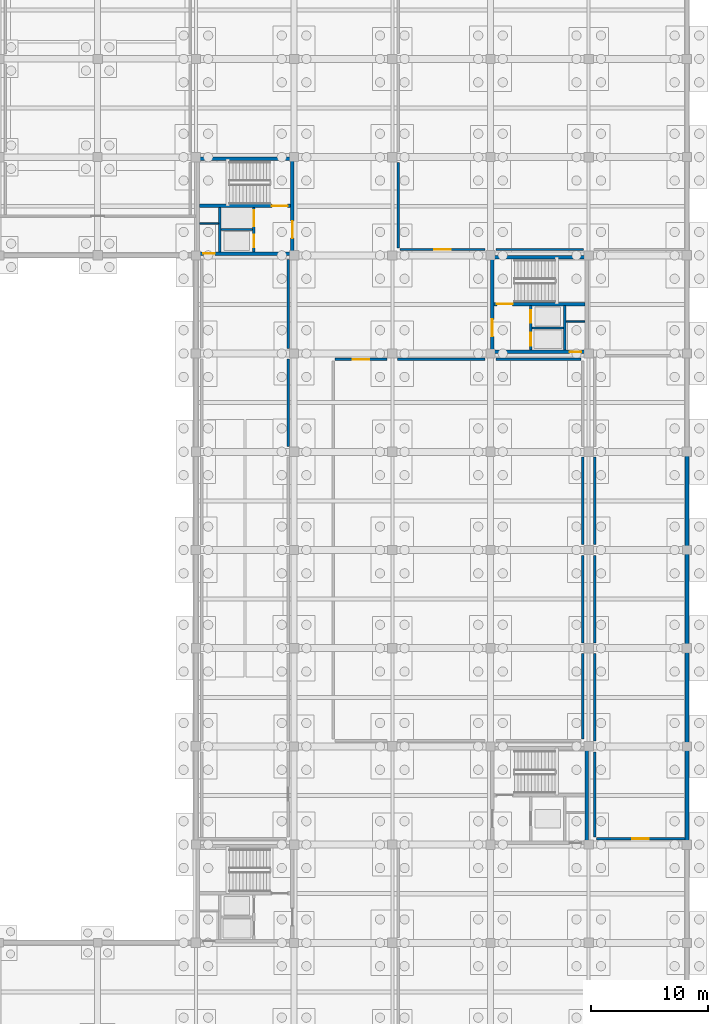
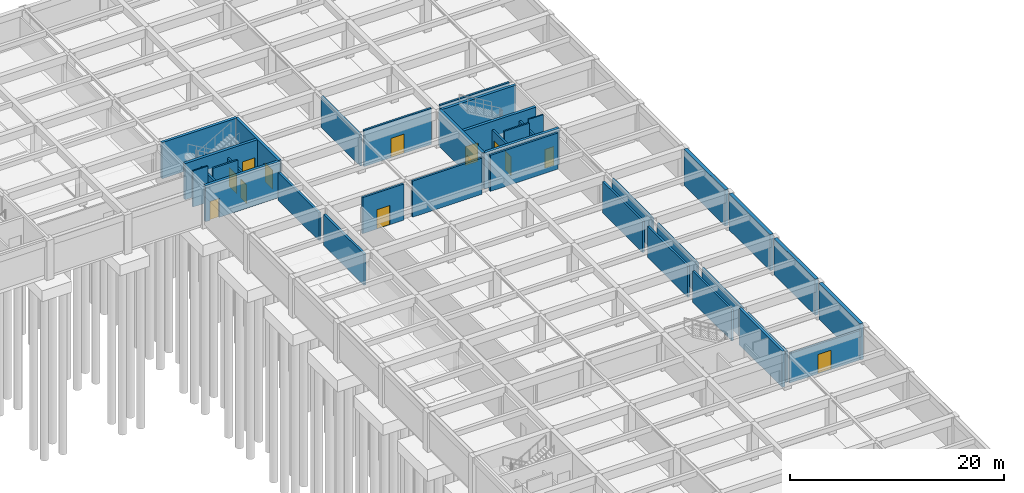
# One storey, part 23 of 33: 37 walls, 13 doors, 13 openings.
"""IFC4 building model written with IfcOpenShell, lengths in metres."""

import ifcopenshell
import ifcopenshell.guid

model = None  # the IFC model being written
_history = None  # IfcOwnerHistory: only IFC2X3 demands one
_inside = {}  # id of a spatial element -> (the spatial element, [elements in it])
_under = {}  # id of a project, library or spatial element -> (it, [spatial elements below it])
_declared = {}  # id of a project -> (the project, [libraries it declares])
_typed = {}  # id of a type object -> (the type object, [elements of that type])
_made_of = {}  # id of a material, layer set ... -> (it, [elements and type objects made of it])


def new_model(schema):
    """Start an empty IFC model of exactly this schema.

    Asked for "IFC4X3", IfcOpenShell would pick the latest addendum, in which some entities
    have other attributes; the version numbers below select the first issue.
    IFC2X3 requires an IfcOwnerHistory on every rooted entity: one is made here for all.
    """
    global model, _history
    if schema == "IFC4X3":
        model = ifcopenshell.file(schema_version=(4, 3, 0, 0))
    else:
        model = ifcopenshell.file(schema=schema)
    _inside.clear()
    _under.clear()
    _declared.clear()
    _typed.clear()
    _made_of.clear()
    _history = None
    if model.schema == "IFC2X3":
        org = make("IfcOrganization", Name="unknown")
        user = make(
            "IfcPersonAndOrganization",
            ThePerson=make("IfcPerson", FamilyName="unknown"),
            TheOrganization=org,
        )
        app = make(
            "IfcApplication",
            ApplicationDeveloper=org,
            Version="unknown",
            ApplicationFullName="unknown",
            ApplicationIdentifier="unknown",
        )
        _history = make(
            "IfcOwnerHistory",
            OwningUser=user,
            OwningApplication=app,
            ChangeAction="ADDED",
            CreationDate=0,
        )
    return model


def make(cls, **values):
    """One entity of the class cls with the attributes given. An attribute that is None is left unset."""
    return model.create_entity(
        cls, **{name: value for name, value in values.items() if value is not None}
    )


def rooted(cls, **values):
    """An entity with a GlobalId (a new one), such as an element, a storey or a relation."""
    return make(cls, GlobalId=ifcopenshell.guid.new(), OwnerHistory=_history, **values)


def si_unit(unit_type, name, prefix=None):
    """IfcSIUnit, for example si_unit("LENGTHUNIT", "METRE", prefix="MILLI")."""
    return make("IfcSIUnit", UnitType=unit_type, Prefix=prefix, Name=name)


def assignment(units):
    """IfcUnitAssignment: the units of a project."""
    return None if units is None else make("IfcUnitAssignment", Units=units)


def point(xyz):
    """IfcCartesianPoint."""
    return None if xyz is None else make("IfcCartesianPoint", Coordinates=xyz)


def direction(xyz):
    """IfcDirection."""
    return None if xyz is None else make("IfcDirection", DirectionRatios=xyz)


def frame(location, z_axis=None, x_axis=None):
    """IfcAxis2Placement3D, a coordinate frame: its origin and axes. An axis left out is left unset."""
    return make(
        "IfcAxis2Placement3D",
        Location=point(location),
        Axis=direction(z_axis),
        RefDirection=direction(x_axis),
    )


def frame_2d(location, x_axis=None):
    """IfcAxis2Placement2D, a coordinate frame in the plane: its origin and x axis."""
    return make(
        "IfcAxis2Placement2D", Location=point(location), RefDirection=direction(x_axis)
    )


def origin():
    """The frame at (0, 0, 0) with its axes left unset."""
    return frame((0.0, 0.0, 0.0))


def place(relative_to, where):
    """IfcLocalPlacement: puts the frame where relative to a parent placement (None: the world)."""
    return make(
        "IfcLocalPlacement", PlacementRelTo=relative_to, RelativePlacement=where
    )


def context(
    kind, dimensions, precision=None, world=None, true_north=None, identifier=None
):
    """IfcGeometricRepresentationContext, for example the 3D "Model" context."""
    return make(
        "IfcGeometricRepresentationContext",
        ContextIdentifier=identifier,
        ContextType=kind,
        CoordinateSpaceDimension=dimensions,
        Precision=precision,
        WorldCoordinateSystem=world,
        TrueNorth=true_north,
    )


def subcontext(parent, identifier, kind, view, scale=None):
    """IfcGeometricRepresentationSubContext, for example "Body" below "Model"."""
    return make(
        "IfcGeometricRepresentationSubContext",
        ContextIdentifier=identifier,
        ContextType=kind,
        ParentContext=parent,
        TargetScale=scale,
        TargetView=view,
    )


def project(units=None, contexts=None):
    """IfcProject with its units and contexts."""
    return rooted(
        "IfcProject",
        Name="project",
        RepresentationContexts=contexts,
        UnitsInContext=assignment(units),
    )


def spatial(cls, under=None, at=None, **own):
    """A site, building, storey or space (cls), placed at a placement, below another one or the project."""
    s = rooted(cls, ObjectPlacement=at, **own)
    if under is not None:
        _under.setdefault(under.id(), (under, []))[1].append(s)
    return s


def profile(cls, at=None, kind="AREA", **sizes):
    """A parametric profile (cls). Its sizes go by their IFC names, for example OverallWidth=200.0."""
    return make(cls, ProfileType=kind, Position=at, **sizes)


def rectangle(**sizes):
    """IfcRectangleProfileDef."""
    return profile("IfcRectangleProfileDef", **sizes)


def extrude(swept, where, along, depth):
    """IfcExtrudedAreaSolid: the profile swept, set in the frame where, extruded along a direction by depth."""
    return make(
        "IfcExtrudedAreaSolid",
        SweptArea=swept,
        Position=where,
        ExtrudedDirection=direction(along),
        Depth=depth,
    )


def shape(context_of_items, identifier, shape_type, items):
    """IfcShapeRepresentation: the items that make up one representation, for example the "Body"."""
    return make(
        "IfcShapeRepresentation",
        ContextOfItems=context_of_items,
        RepresentationIdentifier=identifier,
        RepresentationType=shape_type,
        Items=items,
    )


def material(Name=None, Category=None):
    """IfcMaterial."""
    return make("IfcMaterial", Name=Name, Category=Category)


def layer(
    of_material, thickness, ventilated=None, Name=None, Category=None, Priority=None
):
    """IfcMaterialLayer: one layer of a wall or slab, of a material (None: an air gap)."""
    return make(
        "IfcMaterialLayer",
        Material=of_material,
        LayerThickness=thickness,
        IsVentilated=ventilated,
        Name=Name,
        Category=Category,
        Priority=Priority,
    )


def layer_set(layers, Name=None):
    """IfcMaterialLayerSet."""
    return make("IfcMaterialLayerSet", MaterialLayers=layers, LayerSetName=Name)


def made_of(thing, what):
    """Note that an element or type object is made of a material, layer set ...; save() writes the relation."""
    if what is not None:
        _made_of.setdefault(what.id(), (what, []))[1].append(thing)
    return thing


def type_object(cls, material=None, **own):
    """A type object (cls), such as IfcWallType, which elements share."""
    return made_of(rooted(cls, **own), material)


def element(
    cls,
    number,
    at=None,
    inside=None,
    cuts=None,
    type_object=None,
    material=None,
    context=None,
    identifier="Body",
    shape_type=None,
    held_by="IfcProductDefinitionShape",
    body=None,
    shapes=None,
    **own,
):
    """One element of the class cls, such as IfcWall. Its Tag is "e" and its number.

    at: its placement. inside: the storey or other place that contains it. cuts: it is an
    opening in that element (IfcRelVoidsElement). A single representation is given by context,
    identifier, shape_type and body (its items); several are given by shapes. held_by: the class
    of the entity that holds the representations. save() writes the other relations.
    """
    e = rooted(cls, Tag="e%d" % number, ObjectPlacement=at, **own)
    if body is not None:
        shapes = [shape(context, identifier, shape_type, body)]
    if shapes is not None:
        e.Representation = make(held_by, Representations=shapes)
    if inside is not None:
        _inside.setdefault(inside.id(), (inside, []))[1].append(e)
    if cuts is not None:
        rooted(
            "IfcRelVoidsElement", RelatingBuildingElement=cuts, RelatedOpeningElement=e
        )
    if type_object is not None:
        _typed.setdefault(type_object.id(), (type_object, []))[1].append(e)
    return made_of(e, material)


def fill(opening, filler):
    """IfcRelFillsElement: the door or window that sits in an opening."""
    return rooted(
        "IfcRelFillsElement",
        RelatingOpeningElement=opening,
        RelatedBuildingElement=filler,
    )


def aggregate(whole, parts):
    """IfcRelAggregates: a whole, such as a stair, and the parts it consists of."""
    return rooted("IfcRelAggregates", RelatingObject=whole, RelatedObjects=parts)


def save(model, path):
    """Write the relations noted so far, then the file.

    IfcRelAggregates (storeys below a building ...), IfcRelContainedInSpatialStructure (elements
    in a storey), IfcRelDefinesByType, IfcRelAssociatesMaterial and IfcRelDeclares: one each for
    every whole, place, type object, material and project.
    """
    for whole, parts in _under.values():
        aggregate(whole, parts)
    for where, things in _inside.values():
        rooted(
            "IfcRelContainedInSpatialStructure",
            RelatedElements=things,
            RelatingStructure=where,
        )
    for kind, things in _typed.values():
        rooted("IfcRelDefinesByType", RelatedObjects=things, RelatingType=kind)
    for what, things in _made_of.values():
        rooted("IfcRelAssociatesMaterial", RelatedObjects=things, RelatingMaterial=what)
    for by, libraries in _declared.values():
        rooted("IfcRelDeclares", RelatingContext=by, RelatedDefinitions=libraries)
    model.write(path)


model = new_model("IFC4")

# Units and contexts
model_context = context("Model", 3, precision=1e-05, world=origin(), true_north=direction((0.0, 1.0)))
body_context = subcontext(model_context, "Body", "Model", "MODEL_VIEW")
ifc_project = project(units=[si_unit("LENGTHUNIT", "METRE"), si_unit("AREAUNIT", "SQUARE_METRE"), si_unit("VOLUMEUNIT", "CUBIC_METRE"), si_unit("PLANEANGLEUNIT", "RADIAN"), si_unit("MASSUNIT", "GRAM", prefix="KILO")], contexts=[model_context])

# Site, building, storey
site_placement = place(None, origin())
site = spatial("IfcSite", under=ifc_project, at=site_placement, CompositionType="ELEMENT")
building_placement = place(site_placement, origin())
building = spatial("IfcBuilding", under=site, at=building_placement, Name="Kveldsbrygga Polytechnic", CompositionType="ELEMENT")
storey_placement = place(building_placement, frame((0.0, 0.0, -4.419921875)))
storey = spatial("IfcBuildingStorey", under=building, at=storey_placement, Name="B1", CompositionType="ELEMENT", Elevation=-4.419921875)

# Walls
ifc_material_1 = material(Name="Fired clay brick masonry M10", Category="masonry")
ifc_layer_1 = layer(ifc_material_1, 0.239990234375)
ifc_layer_set_1 = layer_set([ifc_layer_1], Name="Fired clay brick masonry M10")
wall_type_1 = type_object("IfcWallType", Name="IW-COMP-240", PredefinedType="PARTITIONING", material=ifc_layer_set_1)
wall_1_placement = place(storey_placement, frame((133.89990234375, 67.659912109375, 0.0), z_axis=(0.0, 0.0, 1.0), x_axis=(0.0, 1.0, 0.0)))
element("IfcWall", 1, at=wall_1_placement, inside=storey, type_object=wall_type_1, Name="Partition Wall IW-SP-B1-ARCH1-E5", PredefinedType="PARTITIONING", context=body_context, shape_type="SweptSolid", body=[
    extrude(rectangle(XDim=7.489990234375, YDim=0.239990234375, at=frame_2d((3.7451171875, 0.0))), origin(), (0.0, 0.0, 1.0), 3.559814453125),
])
wall_2_placement = place(storey_placement, frame((133.89990234375, 76.050048828125, 0.0), z_axis=(0.0, 0.0, 1.0), x_axis=(0.0, 1.0, 0.0)))
element("IfcWall", 2, at=wall_2_placement, inside=storey, type_object=wall_type_1, Name="Partition Wall IW-SP-B1-ARCH1-E6", PredefinedType="PARTITIONING", context=body_context, shape_type="SweptSolid", body=[
    extrude(rectangle(XDim=7.599853515625, YDim=0.239990234375, at=frame_2d((3.7998046875, 0.0))), origin(), (0.0, 0.0, 1.0), 3.169921875),
])

# Wall, opening, door
ifc_material_2 = material(Name="Concrete blockwork masonry", Category="masonry")
ifc_layer_2 = layer(ifc_material_2, 0.2099609375)
ifc_layer_set_2 = layer_set([ifc_layer_2], Name="Concrete blockwork masonry")
wall_type_2 = type_object("IfcWallType", Name="IW-PLT-210", PredefinedType="PARTITIONING", material=ifc_layer_set_2)
wall_3_placement = place(storey_placement, frame((160.25, 34.10009765625, 0.0), z_axis=(0.0, 0.0, 1.0), x_axis=(1.0, 0.0, 0.0)))
wall_3 = element("IfcWall", 3, at=wall_3_placement, inside=storey, type_object=wall_type_2, Name="Partition Wall IW-SP-B1-SPRK-S1", PredefinedType="PARTITIONING", context=body_context, shape_type="SweptSolid", body=[
    extrude(rectangle(XDim=7.570068359375, YDim=0.2099609375, at=frame_2d((3.78515625, 0.0))), origin(), (0.0, 0.0, 1.0), 3.369873046875),
])
opening_1_placement = place(wall_3_placement, frame((3.0849609375, 0.0, 0.0)))
opening_1 = element("IfcOpeningElement", 4, at=opening_1_placement, cuts=wall_3, Name="Opening ID-B1-011", PredefinedType="OPENING", context=body_context, shape_type="SweptSolid", body=[
    extrude(rectangle(XDim=1.39990234375, YDim=2.199951171875, at=frame_2d((0.699951171875, 1.10009765625))), frame((0.0, 0.114990234375, 0.0), z_axis=(0.0, -1.0, 0.0), x_axis=(1.0, 0.0, 0.0)), (0.0, 0.0, 1.0), 0.22998046875),
])
ifc_material_3 = material(Name="Powder-coated galvanised steel", Category="steel")
door_type_1 = type_object("IfcDoorType", Name="ID-PLT-140x220", OperationType="DOUBLE_DOOR_SINGLE_SWING", PredefinedType="DOOR", material=ifc_material_3)
door_1_placement = place(opening_1_placement, origin())
door_1 = element("IfcDoor", 5, at=door_1_placement, inside=storey, type_object=door_type_1, Name="Interior Door ID-B1-011", OperationType="DOUBLE_DOOR_SINGLE_SWING", OverallHeight=2.199951171875, OverallWidth=1.39990234375, PredefinedType="DOOR", context=body_context, shape_type="SweptSolid", body=[
    extrude(rectangle(XDim=1.39990234375, YDim=2.199951171875, at=frame_2d((0.699951171875, 1.10009765625))), frame((0.0, 0.02490234375, 0.0), z_axis=(0.0, -1.0, 0.0), x_axis=(1.0, 0.0, 0.0)), (0.0, 0.0, 1.0), 0.050048828125),
])
fill(opening_1, door_1)

# Walls
wall_4_placement = place(storey_placement, frame((160.10009765625, 34.25, 0.0), z_axis=(0.0, 0.0, 1.0), x_axis=(0.0, 1.0, 0.0)))
element("IfcWall", 6, at=wall_4_placement, inside=storey, type_object=wall_type_2, Name="Partition Wall IW-SP-B1-SPRK-W1", PredefinedType="PARTITIONING", context=body_context, shape_type="SweptSolid", body=[
    extrude(rectangle(XDim=7.2900390625, YDim=0.2099609375, at=frame_2d((3.64501953125, 0.0))), origin(), (0.0, 0.0, 1.0), 3.559814453125),
])
wall_5_placement = place(storey_placement, frame((160.10009765625, 42.4599609375, 0.0), z_axis=(0.0, 0.0, 1.0), x_axis=(0.0, 1.0, 0.0)))
element("IfcWall", 7, at=wall_5_placement, inside=storey, type_object=wall_type_2, Name="Partition Wall IW-SP-B1-SPRK-W2", PredefinedType="PARTITIONING", context=body_context, shape_type="SweptSolid", body=[
    extrude(rectangle(XDim=7.489990234375, YDim=0.2099609375, at=frame_2d((3.7451171875, 0.0))), origin(), (0.0, 0.0, 1.0), 3.56982421875),
])
wall_6_placement = place(storey_placement, frame((160.10009765625, 50.85009765625, 0.0), z_axis=(0.0, 0.0, 1.0), x_axis=(0.0, 1.0, 0.0)))
element("IfcWall", 8, at=wall_6_placement, inside=storey, type_object=wall_type_2, Name="Partition Wall IW-SP-B1-SPRK-W3", PredefinedType="PARTITIONING", context=body_context, shape_type="SweptSolid", body=[
    extrude(rectangle(XDim=7.489990234375, YDim=0.2099609375, at=frame_2d((3.7451171875, 0.0))), origin(), (0.0, 0.0, 1.0), 3.559814453125),
])
wall_7_placement = place(storey_placement, frame((160.10009765625, 59.260009765625, 0.0), z_axis=(0.0, 0.0, 1.0), x_axis=(0.0, 1.0, 0.0)))
element("IfcWall", 9, at=wall_7_placement, inside=storey, type_object=wall_type_2, Name="Partition Wall IW-SP-B1-SPRK-W4", PredefinedType="PARTITIONING", context=body_context, shape_type="SweptSolid", body=[
    extrude(rectangle(XDim=7.489990234375, YDim=0.2099609375, at=frame_2d((3.7451171875, 0.0))), origin(), (0.0, 0.0, 1.0), 3.56982421875),
])

# Wall, opening, door
wall_8_placement = place(storey_placement, frame((137.89990234375, 75.10009765625, 0.0), z_axis=(0.0, 0.0, 1.0), x_axis=(1.0, 0.0, 0.0)))
wall_8 = element("IfcWall", 10, at=wall_8_placement, inside=storey, type_object=wall_type_2, Name="Partition Wall IW-SP-B1-ELEC2-N1", PredefinedType="PARTITIONING", context=body_context, shape_type="SweptSolid", body=[
    extrude(rectangle(XDim=4.440185546875, YDim=0.2099609375, at=frame_2d((2.22021484375, 0.0))), origin(), (0.0, 0.0, 1.0), 4.119873046875),
])
opening_2_placement = place(wall_8_placement, frame((1.52001953125, 0.0, 0.0)))
opening_2 = element("IfcOpeningElement", 11, at=opening_2_placement, cuts=wall_8, Name="Opening ID-B1-012", PredefinedType="OPENING", context=body_context, shape_type="SweptSolid", body=[
    extrude(rectangle(XDim=1.39990234375, YDim=2.199951171875, at=frame_2d((0.699951171875, 1.10009765625))), frame((0.0, 0.114990234375, 0.0), z_axis=(0.0, -1.0, 0.0), x_axis=(1.0, 0.0, 0.0)), (0.0, 0.0, 1.0), 0.22998046875),
])
door_2_placement = place(opening_2_placement, origin())
door_2 = element("IfcDoor", 12, at=door_2_placement, inside=storey, type_object=door_type_1, Name="Interior Door ID-B1-012", OperationType="DOUBLE_DOOR_SINGLE_SWING", OverallHeight=2.199951171875, OverallWidth=1.39990234375, PredefinedType="DOOR", context=body_context, shape_type="SweptSolid", body=[
    extrude(rectangle(XDim=1.39990234375, YDim=2.199951171875, at=frame_2d((0.699951171875, 1.10009765625))), frame((0.0, 0.02490234375, 0.0), z_axis=(0.0, -1.0, 0.0), x_axis=(1.0, 0.0, 0.0)), (0.0, 0.0, 1.0), 0.050048828125),
])
fill(opening_2, door_2)

# Walls
wall_9_placement = place(storey_placement, frame((143.260009765625, 75.10009765625, 0.0), z_axis=(0.0, 0.0, 1.0), x_axis=(1.0, 0.0, 0.0)))
element("IfcWall", 13, at=wall_9_placement, inside=storey, type_object=wall_type_2, Name="Partition Wall IW-SP-B1-ELEC2-N2", PredefinedType="PARTITIONING", context=body_context, shape_type="SweptSolid", body=[
    extrude(rectangle(XDim=7.489990234375, YDim=0.2099609375, at=frame_2d((3.7451171875, 0.0))), origin(), (0.0, 0.0, 1.0), 4.119873046875),
])
wall_10_placement = place(storey_placement, frame((151.64990234375, 75.10009765625, 0.0), z_axis=(0.0, 0.0, 1.0), x_axis=(1.0, 0.0, 0.0)))
element("IfcWall", 14, at=wall_10_placement, inside=storey, type_object=wall_type_2, Name="Partition Wall IW-SP-B1-ELEC2-N3", PredefinedType="PARTITIONING", context=body_context, shape_type="SweptSolid", body=[
    extrude(rectangle(XDim=7.300048828125, YDim=0.2099609375, at=frame_2d((3.64990234375, 0.0))), origin(), (0.0, 0.0, 1.0), 4.119873046875),
])
wall_11_placement = place(storey_placement, frame((159.10009765625, 42.64990234375, 0.0), z_axis=(0.0, 0.0, 1.0), x_axis=(0.0, 1.0, 0.0)))
element("IfcWall", 15, at=wall_11_placement, inside=storey, type_object=wall_type_2, Name="Partition Wall IW-SP-B1-ELEC2-E1", PredefinedType="PARTITIONING", context=body_context, shape_type="SweptSolid", body=[
    extrude(rectangle(XDim=7.300048828125, YDim=0.2099609375, at=frame_2d((3.64990234375, 0.0))), origin(), (0.0, 0.0, 1.0), 3.559814453125),
])
wall_12_placement = place(storey_placement, frame((159.10009765625, 50.85009765625, 0.0), z_axis=(0.0, 0.0, 1.0), x_axis=(0.0, 1.0, 0.0)))
element("IfcWall", 16, at=wall_12_placement, inside=storey, type_object=wall_type_2, Name="Partition Wall IW-SP-B1-ELEC2-E2", PredefinedType="PARTITIONING", context=body_context, shape_type="SweptSolid", body=[
    extrude(rectangle(XDim=7.489990234375, YDim=0.2099609375, at=frame_2d((3.7451171875, 0.0))), origin(), (0.0, 0.0, 1.0), 3.56982421875),
])
wall_13_placement = place(storey_placement, frame((159.10009765625, 59.260009765625, 0.0), z_axis=(0.0, 0.0, 1.0), x_axis=(0.0, 1.0, 0.0)))
element("IfcWall", 17, at=wall_13_placement, inside=storey, type_object=wall_type_2, Name="Partition Wall IW-SP-B1-ELEC2-E3", PredefinedType="PARTITIONING", context=body_context, shape_type="SweptSolid", body=[
    extrude(rectangle(XDim=7.489990234375, YDim=0.2099609375, at=frame_2d((3.7451171875, 0.0))), origin(), (0.0, 0.0, 1.0), 3.559814453125),
])

# Wall, opening, door
wall_14_placement = place(storey_placement, frame((143.449951171875, 84.5, 0.0), z_axis=(0.0, 0.0, 1.0), x_axis=(1.0, 0.0, 0.0)))
wall_14 = element("IfcWall", 18, at=wall_14_placement, inside=storey, type_object=wall_type_2, Name="Partition Wall IW-SP-B1-AHU-S1", PredefinedType="PARTITIONING", context=body_context, shape_type="SweptSolid", body=[
    extrude(rectangle(XDim=7.2900390625, YDim=0.2099609375, at=frame_2d((3.64501953125, 0.0))), origin(), (0.0, 0.0, 1.0), 4.119873046875),
])
opening_3_placement = place(wall_14_placement, frame((2.945068359375, 0.0, 0.0)))
opening_3 = element("IfcOpeningElement", 19, at=opening_3_placement, cuts=wall_14, Name="Opening ID-B1-013", PredefinedType="OPENING", context=body_context, shape_type="SweptSolid", body=[
    extrude(rectangle(XDim=1.39990234375, YDim=2.199951171875, at=frame_2d((0.699951171875, 1.10009765625))), frame((0.0, 0.114990234375, 0.0), z_axis=(0.0, -1.0, 0.0), x_axis=(1.0, 0.0, 0.0)), (0.0, 0.0, 1.0), 0.22998046875),
])
door_3_placement = place(opening_3_placement, origin())
door_3 = element("IfcDoor", 20, at=door_3_placement, inside=storey, type_object=door_type_1, Name="Interior Door ID-B1-013", OperationType="DOUBLE_DOOR_SINGLE_SWING", OverallHeight=2.199951171875, OverallWidth=1.39990234375, PredefinedType="DOOR", context=body_context, shape_type="SweptSolid", body=[
    extrude(rectangle(XDim=1.39990234375, YDim=2.199951171875, at=frame_2d((0.699951171875, 1.10009765625))), frame((0.0, 0.02490234375, 0.0), z_axis=(0.0, -1.0, 0.0), x_axis=(1.0, 0.0, 0.0)), (0.0, 0.0, 1.0), 0.050048828125),
])
fill(opening_3, door_3)

# Walls
wall_15_placement = place(storey_placement, frame((151.659912109375, 84.5, 0.0), z_axis=(0.0, 0.0, 1.0), x_axis=(1.0, 0.0, 0.0)))
element("IfcWall", 21, at=wall_15_placement, inside=storey, type_object=wall_type_2, Name="Partition Wall IW-SP-B1-AHU-S2", PredefinedType="PARTITIONING", context=body_context, shape_type="SweptSolid", body=[
    extrude(rectangle(XDim=7.489990234375, YDim=0.2099609375, at=frame_2d((3.7451171875, 0.0))), origin(), (0.0, 0.0, 1.0), 4.119873046875),
])
wall_16_placement = place(storey_placement, frame((143.300048828125, 84.64990234375, 0.0), z_axis=(0.0, 0.0, 1.0), x_axis=(0.0, 1.0, 0.0)))
element("IfcWall", 22, at=wall_16_placement, inside=storey, type_object=wall_type_2, Name="Partition Wall IW-SP-B1-AHU-W1", PredefinedType="PARTITIONING", context=body_context, shape_type="SweptSolid", body=[
    extrude(rectangle(XDim=7.2900390625, YDim=0.2099609375, at=frame_2d((3.64501953125, 0.0))), origin(), (0.0, 0.0, 1.0), 3.559814453125),
])
ifc_material_4 = material(Name="Moisture-resistant masonry M10", Category="masonry")
ifc_layer_3 = layer(ifc_material_4, 0.1298828125)
ifc_layer_set_3 = layer_set([ifc_layer_3], Name="Moisture-resistant masonry M10")
wall_type_3 = type_object("IfcWallType", Name="IW-SAN-130", PredefinedType="PARTITIONING", material=ifc_layer_set_3)
wall_17_placement = place(storey_placement, frame((126.320068359375, 86.739990234375, 0.0), z_axis=(0.0, 0.0, 1.0), x_axis=(1.0, 0.0, 0.0)))
element("IfcWall", 23, at=wall_17_placement, inside=storey, type_object=wall_type_3, Name="Core AWC Divider C2-B1-W-RSR", PredefinedType="PARTITIONING", context=body_context, shape_type="SweptSolid", body=[
    extrude(rectangle(XDim=1.619873046875, YDim=0.1298828125, at=frame_2d((0.81005859375, 0.0))), origin(), (0.0, 0.0, 1.0), 4.119873046875),
])
wall_18_placement = place(storey_placement, frame((157.659912109375, 78.340087890625, 0.0), z_axis=(0.0, 0.0, 1.0), x_axis=(1.0, 0.0, 0.0)))
element("IfcWall", 24, at=wall_18_placement, inside=storey, type_object=wall_type_3, Name="Core AWC Divider C4-B1-W-RSR", PredefinedType="PARTITIONING", context=body_context, shape_type="SweptSolid", body=[
    extrude(rectangle(XDim=1.6201171875, YDim=0.1298828125, at=frame_2d((0.81005859375, 0.0))), origin(), (0.0, 0.0, 1.0), 4.119873046875),
])

# Wall, opening, door
ifc_material_5 = material(Name="Concrete C45/55", Category="concrete")
ifc_layer_4 = layer(ifc_material_5, 0.300048828125)
ifc_layer_set_4 = layer_set([ifc_layer_4], Name="Concrete C45/55")
wall_type_4 = type_object("IfcWallType", Name="WL-CORE-300", PredefinedType="SHEAR", material=ifc_layer_set_4)
wall_19_placement = place(storey_placement, frame((126.14990234375, 84.14990234375, 0.0), z_axis=(0.0, 0.0, 1.0), x_axis=(1.0, 0.0, 0.0)))
wall_19 = element("IfcWall", 25, at=wall_19_placement, inside=storey, type_object=wall_type_4, Name="Core C2 Shear Wall C2-B1-SW-S", PredefinedType="SHEAR", context=body_context, shape_type="SweptSolid", body=[
    extrude(rectangle(XDim=8.10009765625, YDim=0.300048828125, at=frame_2d((4.050048828125, 0.0))), origin(), (0.0, 0.0, 1.0), 4.119873046875),
])
opening_4_placement = place(wall_19_placement, frame((0.485107421875, 0.0, 0.0)))
opening_4 = element("IfcOpeningElement", 26, at=opening_4_placement, cuts=wall_19, Name="Opening ID-C2-B1-AWC", PredefinedType="OPENING", context=body_context, shape_type="SweptSolid", body=[
    extrude(rectangle(XDim=1.0, YDim=2.14990234375, at=frame_2d((0.5, 1.074951171875))), frame((0.0, 0.16015625, 0.0), z_axis=(0.0, -1.0, 0.0), x_axis=(1.0, 0.0, 0.0)), (0.0, 0.0, 1.0), 0.320068359375),
])
ifc_material_6 = material(Name="Acoustic oak timber", Category="wood")
door_type_2 = type_object("IfcDoorType", Name="ID-AWC-100x215", OperationType="NOTDEFINED", PredefinedType="DOOR", material=ifc_material_6)
door_4_placement = place(opening_4_placement, origin())
door_4 = element("IfcDoor", 27, at=door_4_placement, inside=storey, type_object=door_type_2, Name="Accessible WC Door ID-C2-B1-AWC", OperationType="SINGLE_SWING_RIGHT", OverallHeight=2.14990234375, OverallWidth=1.0, PredefinedType="DOOR", context=body_context, shape_type="SweptSolid", body=[
    extrude(rectangle(XDim=1.0, YDim=2.14990234375, at=frame_2d((0.5, 1.074951171875))), frame((0.0, 0.02490234375, 0.0), z_axis=(0.0, -1.0, 0.0), x_axis=(1.0, 0.0, 0.0)), (0.0, 0.0, 1.0), 0.050048828125),
])
fill(opening_4, door_4)

# Wall
wall_20_placement = place(storey_placement, frame((126.14990234375, 92.25, 0.0), z_axis=(0.0, 0.0, 1.0), x_axis=(1.0, 0.0, 0.0)))
element("IfcWall", 28, at=wall_20_placement, inside=storey, type_object=wall_type_4, Name="Core C2 Shear Wall C2-B1-SW-N", PredefinedType="SHEAR", context=body_context, shape_type="SweptSolid", body=[
    extrude(rectangle(XDim=8.10009765625, YDim=0.300048828125, at=frame_2d((4.050048828125, 0.0))), origin(), (0.0, 0.0, 1.0), 4.119873046875),
])

# Wall, opening, door
wall_21_placement = place(storey_placement, frame((134.25, 84.14990234375, 0.0), z_axis=(0.0, 0.0, 1.0), x_axis=(0.0, 1.0, 0.0)))
wall_21 = element("IfcWall", 29, at=wall_21_placement, inside=storey, type_object=wall_type_4, Name="Core C2 Shear Wall C2-B1-SW-E", PredefinedType="SHEAR", context=body_context, shape_type="SweptSolid", body=[
    extrude(rectangle(XDim=8.10009765625, YDim=0.300048828125, at=frame_2d((4.050048828125, 0.0))), origin(), (0.0, 0.0, 1.0), 4.119873046875),
])
opening_5_placement = place(wall_21_placement, frame((1.324951171875, 0.0, 0.0)))
opening_5 = element("IfcOpeningElement", 30, at=opening_5_placement, cuts=wall_21, Name="Opening FD-C2-B1-LOB", PredefinedType="OPENING", context=body_context, shape_type="SweptSolid", body=[
    extrude(rectangle(XDim=1.449951171875, YDim=2.14990234375, at=frame_2d((0.72509765625, 1.074951171875))), frame((0.0, 0.16015625, 0.0), z_axis=(0.0, -1.0, 0.0), x_axis=(1.0, 0.0, 0.0)), (0.0, 0.0, 1.0), 0.320068359375),
])
door_type_3 = type_object("IfcDoorType", Name="ID-LOBBY-145x215", OperationType="DOUBLE_DOOR_SINGLE_SWING", PredefinedType="DOOR", material=ifc_material_3)
door_5_placement = place(opening_5_placement, origin())
door_5 = element("IfcDoor", 31, at=door_5_placement, inside=storey, type_object=door_type_3, Name="Core Lobby Fire Door FD-C2-B1-LOB", OperationType="DOUBLE_DOOR_SINGLE_SWING", OverallHeight=2.14990234375, OverallWidth=1.449951171875, PredefinedType="DOOR", context=body_context, shape_type="SweptSolid", body=[
    extrude(rectangle(XDim=1.449951171875, YDim=2.14990234375, at=frame_2d((0.72509765625, 1.074951171875))), frame((0.0, 0.02490234375, 0.0), z_axis=(0.0, -1.0, 0.0), x_axis=(1.0, 0.0, 0.0)), (0.0, 0.0, 1.0), 0.050048828125),
])
fill(opening_5, door_5)

wall_22_placement = place(storey_placement, frame((126.300048828125, 88.22998046875, 0.0), z_axis=(0.0, 0.0, 1.0), x_axis=(1.0, 0.0, 0.0)))
wall_22 = element("IfcWall", 32, at=wall_22_placement, inside=storey, type_object=wall_type_4, Name="Core C2 Shear Wall C2-B1-W-DIV", PredefinedType="SHEAR", context=body_context, shape_type="SweptSolid", body=[
    extrude(rectangle(XDim=7.800048828125, YDim=0.300048828125, at=frame_2d((3.89990234375, 0.0))), origin(), (0.0, 0.0, 1.0), 4.119873046875),
])
opening_6_placement = place(wall_22_placement, frame((6.199951171875, 0.0, 0.0)))
opening_6 = element("IfcOpeningElement", 33, at=opening_6_placement, cuts=wall_22, Name="Opening FD-C2-B1-ST", PredefinedType="OPENING", context=body_context, shape_type="SweptSolid", body=[
    extrude(rectangle(XDim=1.35009765625, YDim=2.14990234375, at=frame_2d((0.675048828125, 1.074951171875))), frame((0.0, 0.16015625, 0.0), z_axis=(0.0, -1.0, 0.0), x_axis=(1.0, 0.0, 0.0)), (0.0, 0.0, 1.0), 0.320068359375),
])
door_type_4 = type_object("IfcDoorType", Name="ID-STAIR-135x215", OperationType="NOTDEFINED", PredefinedType="DOOR", material=ifc_material_3)
door_6_placement = place(opening_6_placement, origin())
door_6 = element("IfcDoor", 34, at=door_6_placement, inside=storey, type_object=door_type_4, Name="Stair Fire Door FD-C2-B1-ST", OperationType="SINGLE_SWING_LEFT", OverallHeight=2.14990234375, OverallWidth=1.35009765625, PredefinedType="DOOR", context=body_context, shape_type="SweptSolid", body=[
    extrude(rectangle(XDim=1.35009765625, YDim=2.14990234375, at=frame_2d((0.675048828125, 1.074951171875))), frame((0.0, 0.02490234375, 0.0), z_axis=(0.0, -1.0, 0.0), x_axis=(1.0, 0.0, 0.0)), (0.0, 0.0, 1.0), 0.050048828125),
])
fill(opening_6, door_6)

# Wall
wall_23_placement = place(storey_placement, frame((159.449951171875, 33.75, 0.0), z_axis=(0.0, 0.0, 1.0), x_axis=(0.0, 1.0, 0.0)))
element("IfcWall", 35, at=wall_23_placement, inside=storey, type_object=wall_type_4, Name="Core C3 Shear Wall C3-B1-SW-E", PredefinedType="SHEAR", context=body_context, shape_type="SweptSolid", body=[
    extrude(rectangle(XDim=8.10009765625, YDim=0.300048828125, at=frame_2d((4.050048828125, 0.0))), origin(), (0.0, 0.0, 1.0), 4.119873046875),
])

# Wall, opening, door
wall_24_placement = place(storey_placement, frame((151.35009765625, 75.75, 0.0), z_axis=(0.0, 0.0, 1.0), x_axis=(1.0, 0.0, 0.0)))
wall_24 = element("IfcWall", 36, at=wall_24_placement, inside=storey, type_object=wall_type_4, Name="Core C4 Shear Wall C4-B1-SW-S", PredefinedType="SHEAR", context=body_context, shape_type="SweptSolid", body=[
    extrude(rectangle(XDim=8.099853515625, YDim=0.300048828125, at=frame_2d((4.0498046875, 0.0))), origin(), (0.0, 0.0, 1.0), 4.119873046875),
])
opening_7_placement = place(wall_24_placement, frame((6.614990234375, 0.0, 0.0)))
opening_7 = element("IfcOpeningElement", 37, at=opening_7_placement, cuts=wall_24, Name="Opening ID-C4-B1-AWC", PredefinedType="OPENING", context=body_context, shape_type="SweptSolid", body=[
    extrude(rectangle(XDim=1.0, YDim=2.14990234375, at=frame_2d((0.5, 1.074951171875))), frame((0.0, 0.16015625, 0.0), z_axis=(0.0, -1.0, 0.0), x_axis=(1.0, 0.0, 0.0)), (0.0, 0.0, 1.0), 0.320068359375),
])
door_7_placement = place(opening_7_placement, origin())
door_7 = element("IfcDoor", 38, at=door_7_placement, inside=storey, type_object=door_type_2, Name="Accessible WC Door ID-C4-B1-AWC", OperationType="SINGLE_SWING_RIGHT", OverallHeight=2.14990234375, OverallWidth=1.0, PredefinedType="DOOR", context=body_context, shape_type="SweptSolid", body=[
    extrude(rectangle(XDim=1.0, YDim=2.14990234375, at=frame_2d((0.5, 1.074951171875))), frame((0.0, 0.02490234375, 0.0), z_axis=(0.0, -1.0, 0.0), x_axis=(1.0, 0.0, 0.0)), (0.0, 0.0, 1.0), 0.050048828125),
])
fill(opening_7, door_7)

# Wall
wall_25_placement = place(storey_placement, frame((151.35009765625, 83.85009765625, 0.0), z_axis=(0.0, 0.0, 1.0), x_axis=(1.0, 0.0, 0.0)))
element("IfcWall", 39, at=wall_25_placement, inside=storey, type_object=wall_type_4, Name="Core C4 Shear Wall C4-B1-SW-N", PredefinedType="SHEAR", context=body_context, shape_type="SweptSolid", body=[
    extrude(rectangle(XDim=8.099853515625, YDim=0.300048828125, at=frame_2d((4.0498046875, 0.0))), origin(), (0.0, 0.0, 1.0), 4.119873046875),
])

# Wall, opening, door
wall_26_placement = place(storey_placement, frame((151.35009765625, 75.75, 0.0), z_axis=(0.0, 0.0, 1.0), x_axis=(0.0, 1.0, 0.0)))
wall_26 = element("IfcWall", 40, at=wall_26_placement, inside=storey, type_object=wall_type_4, Name="Core C4 Shear Wall C4-B1-SW-W", PredefinedType="SHEAR", context=body_context, shape_type="SweptSolid", body=[
    extrude(rectangle(XDim=8.10009765625, YDim=0.300048828125, at=frame_2d((4.050048828125, 0.0))), origin(), (0.0, 0.0, 1.0), 4.119873046875),
])
opening_8_placement = place(wall_26_placement, frame((1.324951171875, 0.0, 0.0)))
opening_8 = element("IfcOpeningElement", 41, at=opening_8_placement, cuts=wall_26, Name="Opening FD-C4-B1-LOB", PredefinedType="OPENING", context=body_context, shape_type="SweptSolid", body=[
    extrude(rectangle(XDim=1.449951171875, YDim=2.14990234375, at=frame_2d((0.72509765625, 1.074951171875))), frame((0.0, 0.16015625, 0.0), z_axis=(0.0, -1.0, 0.0), x_axis=(1.0, 0.0, 0.0)), (0.0, 0.0, 1.0), 0.320068359375),
])
door_8_placement = place(opening_8_placement, origin())
door_8 = element("IfcDoor", 42, at=door_8_placement, inside=storey, type_object=door_type_3, Name="Core Lobby Fire Door FD-C4-B1-LOB", OperationType="DOUBLE_DOOR_SINGLE_SWING", OverallHeight=2.14990234375, OverallWidth=1.449951171875, PredefinedType="DOOR", context=body_context, shape_type="SweptSolid", body=[
    extrude(rectangle(XDim=1.449951171875, YDim=2.14990234375, at=frame_2d((0.72509765625, 1.074951171875))), frame((0.0, 0.02490234375, 0.0), z_axis=(0.0, -1.0, 0.0), x_axis=(1.0, 0.0, 0.0)), (0.0, 0.0, 1.0), 0.050048828125),
])
fill(opening_8, door_8)

wall_27_placement = place(storey_placement, frame((151.5, 79.830078125, 0.0), z_axis=(0.0, 0.0, 1.0), x_axis=(1.0, 0.0, 0.0)))
wall_27 = element("IfcWall", 43, at=wall_27_placement, inside=storey, type_object=wall_type_4, Name="Core C4 Shear Wall C4-B1-W-DIV", PredefinedType="SHEAR", context=body_context, shape_type="SweptSolid", body=[
    extrude(rectangle(XDim=7.800048828125, YDim=0.300048828125, at=frame_2d((3.89990234375, 0.0))), origin(), (0.0, 0.0, 1.0), 4.119873046875),
])
opening_9_placement = place(wall_27_placement, frame((0.25, 0.0, 0.0)))
opening_9 = element("IfcOpeningElement", 44, at=opening_9_placement, cuts=wall_27, Name="Opening FD-C4-B1-ST", PredefinedType="OPENING", context=body_context, shape_type="SweptSolid", body=[
    extrude(rectangle(XDim=1.35009765625, YDim=2.14990234375, at=frame_2d((0.675048828125, 1.074951171875))), frame((0.0, 0.16015625, 0.0), z_axis=(0.0, -1.0, 0.0), x_axis=(1.0, 0.0, 0.0)), (0.0, 0.0, 1.0), 0.320068359375),
])
door_9_placement = place(opening_9_placement, origin())
door_9 = element("IfcDoor", 45, at=door_9_placement, inside=storey, type_object=door_type_4, Name="Stair Fire Door FD-C4-B1-ST", OperationType="SINGLE_SWING_LEFT", OverallHeight=2.14990234375, OverallWidth=1.35009765625, PredefinedType="DOOR", context=body_context, shape_type="SweptSolid", body=[
    extrude(rectangle(XDim=1.35009765625, YDim=2.14990234375, at=frame_2d((0.675048828125, 1.074951171875))), frame((0.0, 0.02490234375, 0.0), z_axis=(0.0, -1.0, 0.0), x_axis=(1.0, 0.0, 0.0)), (0.0, 0.0, 1.0), 0.050048828125),
])
fill(opening_9, door_9)

# Walls
ifc_material_7 = material(Name="Concrete C35/45", Category="concrete")
ifc_layer_5 = layer(ifc_material_7, 0.360107421875)
ifc_layer_set_5 = layer_set([ifc_layer_5], Name="Concrete C35/45")
wall_type_5 = type_object("IfcWallType", Name="WL-RET-360", PredefinedType="USERDEFINED", material=ifc_layer_set_5)
for number, where, z_axis, x_axis, name in (
    (46, (168.0, 33.949951171875, 0.0), (0.0, 0.0, 1.0), (0.0, 1.0, 0.0), "Basement Retaining Wall RW-E-19-04"),
    (47, (168.0, 42.35009765625, 0.0), (0.0, 0.0, 1.0), (0.0, 1.0, 0.0), "Basement Retaining Wall RW-E-19-05"),
    (48, (168.0, 50.75, 0.0), (0.0, 0.0, 1.0), (0.0, 1.0, 0.0), "Basement Retaining Wall RW-E-19-06"),
):
    element("IfcWall", number, at=place(storey_placement, frame(where, z_axis=z_axis, x_axis=x_axis)), inside=storey, type_object=wall_type_5, Name=name, ObjectType="RETAININGWALL", PredefinedType="USERDEFINED", context=body_context, shape_type="SweptSolid", body=[
        extrude(rectangle(XDim=7.699951171875, YDim=0.360107421875, at=frame_2d((3.85009765625, 0.0))), origin(), (0.0, 0.0, 1.0), 4.119873046875),
    ])
wall_28_placement = place(storey_placement, frame((168.0, 59.14990234375, 0.0), z_axis=(0.0, 0.0, 1.0), x_axis=(0.0, 1.0, 0.0)))
element("IfcWall", 49, at=wall_28_placement, inside=storey, type_object=wall_type_5, Name="Basement Retaining Wall RW-E-19-07", ObjectType="RETAININGWALL", PredefinedType="USERDEFINED", context=body_context, shape_type="SweptSolid", body=[
    extrude(rectangle(XDim=7.7001953125, YDim=0.360107421875, at=frame_2d((3.85009765625, 0.0))), origin(), (0.0, 0.0, 1.0), 4.119873046875),
])
ifc_layer_6 = layer(ifc_material_7, 0.179931640625)
ifc_layer_set_6 = layer_set([ifc_layer_6], Name="Concrete C35/45")
wall_type_6 = type_object("IfcWallType", Name="WL-SHFT-180", PredefinedType="SHEAR", material=ifc_layer_set_6)
wall_29_placement = place(storey_placement, frame((128.14990234375, 86.199951171875, 0.0), z_axis=(0.0, 0.0, 1.0), x_axis=(1.0, 0.0, 0.0)))
element("IfcWall", 50, at=wall_29_placement, inside=storey, type_object=wall_type_6, Name="Lift Divider Wall C2-B1-W-LMID", PredefinedType="SHEAR", context=body_context, shape_type="SweptSolid", body=[
    extrude(rectangle(XDim=2.7001953125, YDim=0.179931640625, at=frame_2d((1.35009765625, 0.0))), origin(), (0.0, 0.0, 1.0), 4.119873046875),
])
wall_30_placement = place(storey_placement, frame((154.75, 77.800048828125, 0.0), z_axis=(0.0, 0.0, 1.0), x_axis=(1.0, 0.0, 0.0)))
element("IfcWall", 51, at=wall_30_placement, inside=storey, type_object=wall_type_6, Name="Lift Divider Wall C4-B1-W-LMID", PredefinedType="SHEAR", context=body_context, shape_type="SweptSolid", body=[
    extrude(rectangle(XDim=2.699951171875, YDim=0.179931640625, at=frame_2d((1.35009765625, 0.0))), origin(), (0.0, 0.0, 1.0), 4.119873046875),
])

# Wall, openings, doors
ifc_layer_7 = layer(ifc_material_7, 0.199951171875)
ifc_layer_set_7 = layer_set([ifc_layer_7], Name="Concrete C35/45")
wall_type_7 = type_object("IfcWallType", Name="WL-SHFT-200", PredefinedType="SHEAR", material=ifc_layer_set_7)
wall_31_placement = place(storey_placement, frame((130.9599609375, 84.300048828125, 0.0), z_axis=(0.0, 0.0, 1.0), x_axis=(0.0, 1.0, 0.0)))
wall_31 = element("IfcWall", 52, at=wall_31_placement, inside=storey, type_object=wall_type_7, Name="Lift Front Wall C2-B1-W-LFR", PredefinedType="SHEAR", context=body_context, shape_type="SweptSolid", body=[
    extrude(rectangle(XDim=3.800048828125, YDim=0.199951171875, at=frame_2d((1.89990234375, 0.0))), origin(), (0.0, 0.0, 1.0), 3.169921875),
])
opening_10_placement = place(wall_31_placement, frame((0.375, 0.0, 0.0)))
opening_10 = element("IfcOpeningElement", 53, at=opening_10_placement, cuts=wall_31, Name="Opening LD-LP-2", PredefinedType="OPENING", context=body_context, shape_type="SweptSolid", body=[
    extrude(rectangle(XDim=1.10009765625, YDim=2.14990234375, at=frame_2d((0.550048828125, 1.074951171875))), frame((0.0, 0.10986328125, 0.0), z_axis=(0.0, -1.0, 0.0), x_axis=(1.0, 0.0, 0.0)), (0.0, 0.0, 1.0), 0.219970703125),
])
opening_11_placement = place(wall_31_placement, frame((2.175048828125, 0.0, 0.0)))
opening_11 = element("IfcOpeningElement", 54, at=opening_11_placement, cuts=wall_31, Name="Opening LD-GL-1", PredefinedType="OPENING", context=body_context, shape_type="SweptSolid", body=[
    extrude(rectangle(XDim=1.39990234375, YDim=2.199951171875, at=frame_2d((0.699951171875, 1.10009765625))), frame((0.0, 0.10986328125, 0.0), z_axis=(0.0, -1.0, 0.0), x_axis=(1.0, 0.0, 0.0)), (0.0, 0.0, 1.0), 0.219970703125),
])
ifc_material_8 = material(Name="Brushed stainless steel EN 1.4401", Category="steel")
door_type_5 = type_object("IfcDoorType", Name="LD-GDS-140x220", OperationType="SLIDING_TO_LEFT", PredefinedType="DOOR", material=ifc_material_8)
door_10_placement = place(opening_11_placement, origin())
door_10 = element("IfcDoor", 55, at=door_10_placement, inside=storey, type_object=door_type_5, Name="Lift Landing Sliding Door LD-GL-1-B1", OperationType="SLIDING_TO_LEFT", OverallHeight=2.199951171875, OverallWidth=1.39990234375, PredefinedType="DOOR", context=body_context, shape_type="SweptSolid", body=[
    extrude(rectangle(XDim=1.39990234375, YDim=2.199951171875, at=frame_2d((0.699951171875, 1.10009765625))), frame((0.0, 0.02490234375, 0.0), z_axis=(0.0, -1.0, 0.0), x_axis=(1.0, 0.0, 0.0)), (0.0, 0.0, 1.0), 0.050048828125),
])
fill(opening_11, door_10)
door_type_6 = type_object("IfcDoorType", Name="LD-PAX-110x215", OperationType="SLIDING_TO_LEFT", PredefinedType="DOOR", material=ifc_material_8)
door_11_placement = place(opening_10_placement, origin())
door_11 = element("IfcDoor", 56, at=door_11_placement, inside=storey, type_object=door_type_6, Name="Lift Landing Sliding Door LD-LP-2-B1", OperationType="SLIDING_TO_LEFT", OverallHeight=2.14990234375, OverallWidth=1.10009765625, PredefinedType="DOOR", context=body_context, shape_type="SweptSolid", body=[
    extrude(rectangle(XDim=1.10009765625, YDim=2.14990234375, at=frame_2d((0.550048828125, 1.074951171875))), frame((0.0, 0.02490234375, 0.0), z_axis=(0.0, -1.0, 0.0), x_axis=(1.0, 0.0, 0.0)), (0.0, 0.0, 1.0), 0.050048828125),
])
fill(opening_10, door_11)

# Wall
wall_32_placement = place(storey_placement, frame((128.0400390625, 84.300048828125, 0.0), z_axis=(0.0, 0.0, 1.0), x_axis=(0.0, 1.0, 0.0)))
element("IfcWall", 57, at=wall_32_placement, inside=storey, type_object=wall_type_7, Name="Lift Back Wall C2-B1-W-LBK", PredefinedType="SHEAR", context=body_context, shape_type="SweptSolid", body=[
    extrude(rectangle(XDim=3.800048828125, YDim=0.199951171875, at=frame_2d((1.89990234375, 0.0))), origin(), (0.0, 0.0, 1.0), 3.169921875),
])

# Wall, openings, doors
wall_33_placement = place(storey_placement, frame((154.639892578125, 75.89990234375, 0.0), z_axis=(0.0, 0.0, 1.0), x_axis=(0.0, 1.0, 0.0)))
wall_33 = element("IfcWall", 58, at=wall_33_placement, inside=storey, type_object=wall_type_7, Name="Lift Front Wall C4-B1-W-LFR", PredefinedType="SHEAR", context=body_context, shape_type="SweptSolid", body=[
    extrude(rectangle(XDim=3.800048828125, YDim=0.199951171875, at=frame_2d((1.89990234375, 0.0))), origin(), (0.0, 0.0, 1.0), 3.169921875),
])
opening_12_placement = place(wall_33_placement, frame((0.375, 0.0, 0.0)))
opening_12 = element("IfcOpeningElement", 59, at=opening_12_placement, cuts=wall_33, Name="Opening LD-FL-2", PredefinedType="OPENING", context=body_context, shape_type="SweptSolid", body=[
    extrude(rectangle(XDim=1.10009765625, YDim=2.14990234375, at=frame_2d((0.550048828125, 1.074951171875))), frame((0.0, 0.10986328125, 0.0), z_axis=(0.0, -1.0, 0.0), x_axis=(1.0, 0.0, 0.0)), (0.0, 0.0, 1.0), 0.219970703125),
])
opening_13_placement = place(wall_33_placement, frame((2.324951171875, 0.0, 0.0)))
opening_13 = element("IfcOpeningElement", 60, at=opening_13_placement, cuts=wall_33, Name="Opening LD-LP-4", PredefinedType="OPENING", context=body_context, shape_type="SweptSolid", body=[
    extrude(rectangle(XDim=1.10009765625, YDim=2.14990234375, at=frame_2d((0.550048828125, 1.074951171875))), frame((0.0, 0.10986328125, 0.0), z_axis=(0.0, -1.0, 0.0), x_axis=(1.0, 0.0, 0.0)), (0.0, 0.0, 1.0), 0.219970703125),
])
door_12_placement = place(opening_12_placement, origin())
door_12 = element("IfcDoor", 61, at=door_12_placement, inside=storey, type_object=door_type_6, Name="Lift Landing Sliding Door LD-FL-2-B1", OperationType="SLIDING_TO_LEFT", OverallHeight=2.14990234375, OverallWidth=1.10009765625, PredefinedType="DOOR", context=body_context, shape_type="SweptSolid", body=[
    extrude(rectangle(XDim=1.10009765625, YDim=2.14990234375, at=frame_2d((0.550048828125, 1.074951171875))), frame((0.0, 0.02490234375, 0.0), z_axis=(0.0, -1.0, 0.0), x_axis=(1.0, 0.0, 0.0)), (0.0, 0.0, 1.0), 0.050048828125),
])
fill(opening_12, door_12)
door_13_placement = place(opening_13_placement, origin())
door_13 = element("IfcDoor", 62, at=door_13_placement, inside=storey, type_object=door_type_6, Name="Lift Landing Sliding Door LD-LP-4-B1", OperationType="SLIDING_TO_LEFT", OverallHeight=2.14990234375, OverallWidth=1.10009765625, PredefinedType="DOOR", context=body_context, shape_type="SweptSolid", body=[
    extrude(rectangle(XDim=1.10009765625, YDim=2.14990234375, at=frame_2d((0.550048828125, 1.074951171875))), frame((0.0, 0.02490234375, 0.0), z_axis=(0.0, -1.0, 0.0), x_axis=(1.0, 0.0, 0.0)), (0.0, 0.0, 1.0), 0.050048828125),
])
fill(opening_13, door_13)

# Wall
wall_34_placement = place(storey_placement, frame((157.56005859375, 75.89990234375, 0.0), z_axis=(0.0, 0.0, 1.0), x_axis=(0.0, 1.0, 0.0)))
element("IfcWall", 63, at=wall_34_placement, inside=storey, type_object=wall_type_7, Name="Lift Back Wall C4-B1-W-LBK", PredefinedType="SHEAR", context=body_context, shape_type="SweptSolid", body=[
    extrude(rectangle(XDim=3.800048828125, YDim=0.199951171875, at=frame_2d((1.89990234375, 0.0))), origin(), (0.0, 0.0, 1.0), 3.169921875),
])

save(model, "model.ifc")
